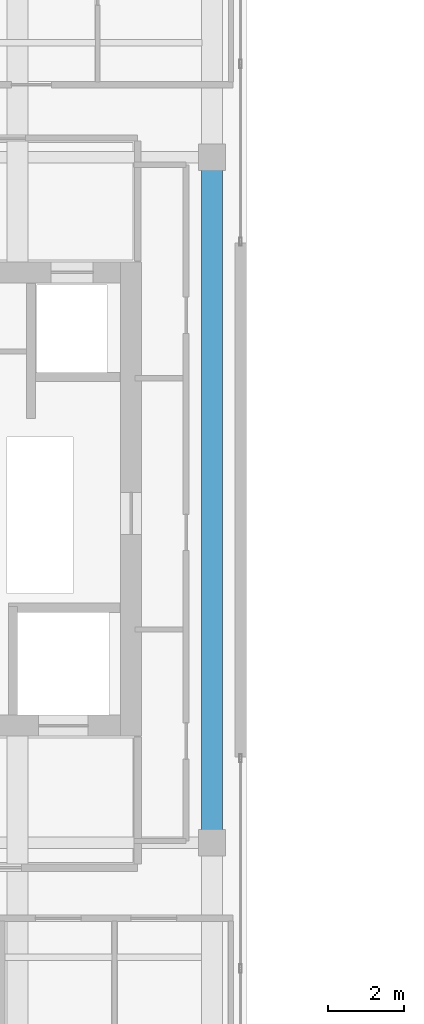
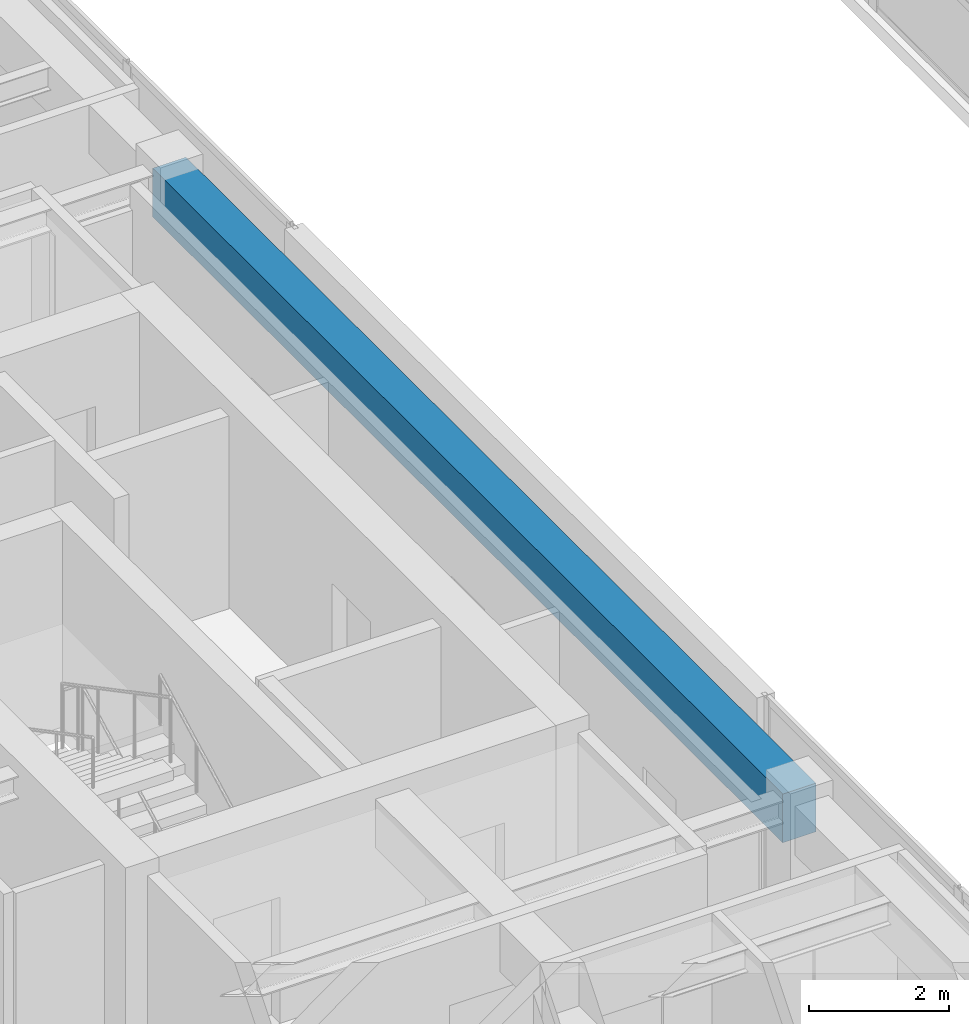
# One storey, part 7 of 23: 1 beam.
"""IFC4 building model written with IfcOpenShell, lengths in metres."""

from ifc_helpers import new_model, si_unit, direction, frame, origin, origin_2d, place, context, subcontext, project, spatial, rectangle, extrude, source, transform, mapped, material, material_profile, profile_set, type_object, element, save


model = new_model("IFC4")

# Units and contexts
model_context = context("Model", 3, precision=1e-05, world=origin(), true_north=direction((0.0, 1.0)))
body_context = subcontext(model_context, "Body", "Model", "MODEL_VIEW")
ifc_project = project(units=[si_unit("LENGTHUNIT", "METRE"), si_unit("AREAUNIT", "SQUARE_METRE"), si_unit("VOLUMEUNIT", "CUBIC_METRE"), si_unit("PLANEANGLEUNIT", "RADIAN"), si_unit("MASSUNIT", "GRAM", prefix="KILO")], contexts=[model_context])

# Site, building, storey
site_placement = place(None, origin())
site = spatial("IfcSite", under=ifc_project, at=site_placement, CompositionType="ELEMENT")
building_placement = place(site_placement, origin())
building = spatial("IfcBuilding", under=site, at=building_placement, Name="Khoralis Quay Care Tower", CompositionType="ELEMENT")
storey_placement = place(building_placement, frame((0.0, 0.0, 252.89990234375)))
storey = spatial("IfcBuildingStorey", under=building, at=storey_placement, Name="L66", CompositionType="ELEMENT", Elevation=252.89990234375)

# Beam
ifc_material = material(Name="Concrete C50/60", Category="concrete")
ifc_material_profile = material_profile(ifc_material, rectangle(XDim=0.550048828125, YDim=0.85009765625, at=origin_2d()), Name="Concrete C50/60")
ifc_profile_set = profile_set([ifc_material_profile], Name="Concrete C50/60")
beam_type = type_object("IfcBeamType", Name="BM-RC550X850", PredefinedType="BEAM", material=ifc_profile_set)
shared_shape = source(origin(), body_context, "Body", "SweptSolid", [
    extrude(rectangle(XDim=0.550048828125, YDim=0.85009765625, at=origin_2d()), origin(), (0.0, 0.0, 1.0), 18.0),
])
beam_placement = place(storey_placement, frame((17.10009765625, 12.0, 2.93505859375), z_axis=(0.0, 1.0, 0.0), x_axis=(-1.0, 0.0, 0.0)))
element("IfcBeam", 1, at=beam_placement, inside=storey, type_object=beam_type, Name="BM-TGSW-L66", PredefinedType="BEAM", context=body_context, shape_type="MappedRepresentation", body=[
    mapped(shared_shape, transform((0.0, 0.0, 0.0), scale=1.0)),
])

save(model, "model.ifc")
